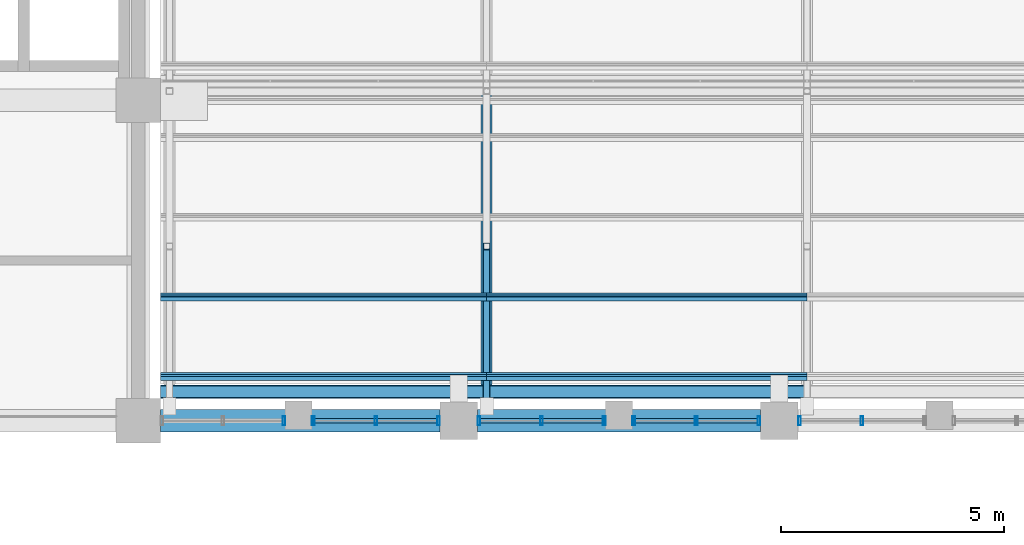
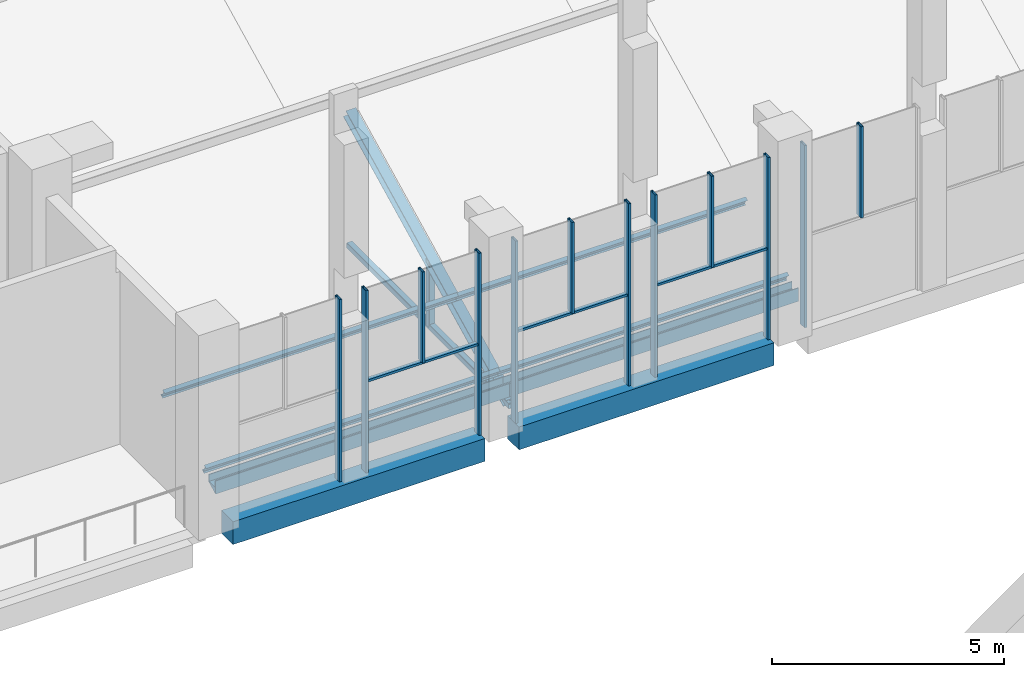
# One storey, part 28 of 83: 24 members, 2 beams, 5 elements without a shape of their own.
"""IFC4 building model written with IfcOpenShell, lengths in metres."""

from ifc_helpers import new_model, si_unit, direction, frame, origin, origin_2d, place, context, subcontext, project, spatial, polyline, rectangle, hollow_rectangle, i_section, outline, extrude, material, material_profile, profile_set, type_object, element, aggregate, save


model = new_model("IFC4")

# Units and contexts
model_context = context("Model", 3, precision=1e-05, world=origin(), true_north=direction((0.0, 1.0)))
body_context = subcontext(model_context, "Body", "Model", "MODEL_VIEW")
ifc_project = project(units=[si_unit("LENGTHUNIT", "METRE"), si_unit("AREAUNIT", "SQUARE_METRE"), si_unit("VOLUMEUNIT", "CUBIC_METRE"), si_unit("PLANEANGLEUNIT", "RADIAN"), si_unit("MASSUNIT", "GRAM", prefix="KILO")], contexts=[model_context])

# Site, building, storey
site_placement = place(None, origin())
site = spatial("IfcSite", under=ifc_project, at=site_placement, CompositionType="ELEMENT")
building_placement = place(site_placement, origin())
building = spatial("IfcBuilding", under=site, at=building_placement, Name="Silangan Lancet Faculty of Sciences", CompositionType="ELEMENT")
storey_placement = place(building_placement, frame((0.0, 0.0, 11.39990234375)))
storey = spatial("IfcBuildingStorey", under=building, at=storey_placement, Name="L02", CompositionType="ELEMENT", Elevation=11.39990234375)

# Beams
ifc_material_1 = material(Name="Concrete C40/50", Category="concrete")
ifc_material_profile_1 = material_profile(ifc_material_1, rectangle(XDim=0.5, YDim=0.60009765625, at=origin_2d()), Name="RC 500x600")
ifc_profile_set_1 = profile_set([ifc_material_profile_1], Name="Concrete C40/50")
beam_type = type_object("IfcBeamType", Name="BEAM RC 500x600", PredefinedType="BEAM", material=ifc_profile_set_1)
beam_1_placement = place(storey_placement, frame((29.300048828125, 36.0, -0.2998046875), z_axis=(1.0, 0.0, 0.0), x_axis=(0.0, 1.0, 0.0)))
element("IfcBeam", 1, at=beam_1_placement, inside=storey, type_object=beam_type, Name="BM-L02-5F-6F", PredefinedType="BEAM", context=body_context, shape_type="SweptSolid", body=[
    extrude(rectangle(XDim=0.5, YDim=0.60009765625, at=origin_2d()), origin(), (0.0, 0.0, 1.0), 6.27490234375),
])
beam_2_placement = place(storey_placement, frame((36.425048828125, 36.0, -0.2998046875), z_axis=(1.0, 0.0, 0.0), x_axis=(0.0, 1.0, 0.0)))
element("IfcBeam", 2, at=beam_2_placement, inside=storey, type_object=beam_type, Name="BM-L02-6F-7F", PredefinedType="BEAM", context=body_context, shape_type="SweptSolid", body=[
    extrude(rectangle(XDim=0.5, YDim=0.60009765625, at=origin_2d()), origin(), (0.0, 0.0, 1.0), 6.349853515625),
])

# Curtain wall, members
ifc_material_2 = material(Name="Aluminium framed curtain wall with insulated glass", Category="aluminium")
curtain_wall_type = type_object("IfcCurtainWallType", Name="CW5 Nave north light glazing", PredefinedType="NOTDEFINED", material=ifc_material_2)
curtain_wall_1_placement = place(storey_placement, origin())
curtain_wall_1 = element("IfcCurtainWall", 3, at=curtain_wall_1_placement, inside=storey, type_object=curtain_wall_type, Name="CW5 Nave north lights L02 bay 2", PredefinedType="NOTDEFINED")
ifc_material_3 = material(Name="Aluminium 6063-T6 extrusion", Category="aluminium")
ifc_material_profile_2 = material_profile(ifc_material_3, hollow_rectangle(XDim=0.06005859375, YDim=0.199951171875, WallThickness=0.00390625, at=origin_2d()), Name="AL BOX 60x200x4")
ifc_profile_set_2 = profile_set([ifc_material_profile_2], Name="Aluminium 6063-T6 extrusion")
member_type_1 = type_object("IfcMemberType", Name="CM1 Mullion 60x200", PredefinedType="MULLION", material=ifc_profile_set_2)
member_1_placement = place(storey_placement, frame((43.655029296875, 36.0, 0.0), z_axis=(0.0, 0.0, 1.0), x_axis=(-1.0, 0.0, 0.0)))
member_1 = element("IfcMember", 4, at=member_1_placement, type_object=member_type_1, Name="CW5 Nave north lights L02 bay 2 mullion 2", PredefinedType="MULLION", context=body_context, shape_type="SweptSolid", body=[
    extrude(hollow_rectangle(XDim=0.06005859375, YDim=0.199951171875, WallThickness=0.00390625, at=origin_2d()), origin(), (0.0, 0.0, 1.0), 4.800048828125),
])
member_2_placement = place(storey_placement, frame((45.0625, 36.0, 2.400146484375), z_axis=(0.0, 0.0, 1.0), x_axis=(-1.0, 0.0, 0.0)))
member_2 = element("IfcMember", 5, at=member_2_placement, type_object=member_type_1, Name="CW5 Nave north lights L02 bay 2 mullion 3", PredefinedType="MULLION", context=body_context, shape_type="SweptSolid", body=[
    extrude(hollow_rectangle(XDim=0.06005859375, YDim=0.199951171875, WallThickness=0.00390625, at=origin_2d()), origin(), (0.0, 0.0, 1.0), 2.39990234375),
])
aggregate(curtain_wall_1, [member_1, member_2])

curtain_wall_2_placement = place(storey_placement, origin())
curtain_wall_2 = element("IfcCurtainWall", 6, at=curtain_wall_2_placement, inside=storey, type_object=curtain_wall_type, Name="CW5 Nave north lights L02 bay 3", PredefinedType="NOTDEFINED")
member_3_placement = place(storey_placement, frame((42.7451171875, 36.0, 0.0), z_axis=(0.0, 0.0, 1.0), x_axis=(-1.0, 0.0, 0.0)))
member_3 = element("IfcMember", 7, at=member_3_placement, type_object=member_type_1, Name="CW5 Nave north lights L02 bay 3 mullion 1", PredefinedType="MULLION", context=body_context, shape_type="SweptSolid", body=[
    extrude(hollow_rectangle(XDim=0.06005859375, YDim=0.199951171875, WallThickness=0.00390625, at=origin_2d()), origin(), (0.0, 0.0, 1.0), 4.800048828125),
])
member_4_placement = place(storey_placement, frame((39.93017578125, 36.0, 0.0), z_axis=(0.0, 0.0, 1.0), x_axis=(-1.0, 0.0, 0.0)))
member_4 = element("IfcMember", 8, at=member_4_placement, type_object=member_type_1, Name="CW5 Nave north lights L02 bay 3 mullion 2", PredefinedType="MULLION", context=body_context, shape_type="SweptSolid", body=[
    extrude(hollow_rectangle(XDim=0.06005859375, YDim=0.199951171875, WallThickness=0.00390625, at=origin_2d()), origin(), (0.0, 0.0, 1.0), 4.800048828125),
])
member_5_placement = place(storey_placement, frame((41.337646484375, 36.0, 2.400146484375), z_axis=(0.0, 0.0, 1.0), x_axis=(-1.0, 0.0, 0.0)))
member_5 = element("IfcMember", 9, at=member_5_placement, type_object=member_type_1, Name="CW5 Nave north lights L02 bay 3 mullion 3", PredefinedType="MULLION", context=body_context, shape_type="SweptSolid", body=[
    extrude(hollow_rectangle(XDim=0.06005859375, YDim=0.199951171875, WallThickness=0.00390625, at=origin_2d()), origin(), (0.0, 0.0, 1.0), 2.39990234375),
])

curtain_wall_3_placement = place(storey_placement, origin())
curtain_wall_3 = element("IfcCurtainWall", 10, at=curtain_wall_3_placement, inside=storey, type_object=curtain_wall_type, Name="CW5 Nave north lights L02 bay 4", PredefinedType="NOTDEFINED")
member_6_placement = place(storey_placement, frame((39.27001953125, 36.0, 0.0), z_axis=(0.0, 0.0, 1.0), x_axis=(-1.0, 0.0, 0.0)))
member_6 = element("IfcMember", 11, at=member_6_placement, type_object=member_type_1, Name="CW5 Nave north lights L02 bay 4 mullion 1", PredefinedType="MULLION", context=body_context, shape_type="SweptSolid", body=[
    extrude(hollow_rectangle(XDim=0.06005859375, YDim=0.199951171875, WallThickness=0.00390625, at=origin_2d()), origin(), (0.0, 0.0, 1.0), 4.800048828125),
])
member_7_placement = place(storey_placement, frame((36.455078125, 36.0, 0.0), z_axis=(0.0, 0.0, 1.0), x_axis=(-1.0, 0.0, 0.0)))
member_7 = element("IfcMember", 12, at=member_7_placement, type_object=member_type_1, Name="CW5 Nave north lights L02 bay 4 mullion 2", PredefinedType="MULLION", context=body_context, shape_type="SweptSolid", body=[
    extrude(hollow_rectangle(XDim=0.06005859375, YDim=0.199951171875, WallThickness=0.00390625, at=origin_2d()), origin(), (0.0, 0.0, 1.0), 4.800048828125),
])
member_8_placement = place(storey_placement, frame((37.862548828125, 36.0, 2.400146484375), z_axis=(0.0, 0.0, 1.0), x_axis=(-1.0, 0.0, 0.0)))
member_8 = element("IfcMember", 13, at=member_8_placement, type_object=member_type_1, Name="CW5 Nave north lights L02 bay 4 mullion 3", PredefinedType="MULLION", context=body_context, shape_type="SweptSolid", body=[
    extrude(hollow_rectangle(XDim=0.06005859375, YDim=0.199951171875, WallThickness=0.00390625, at=origin_2d()), origin(), (0.0, 0.0, 1.0), 2.39990234375),
])

curtain_wall_4_placement = place(storey_placement, origin())
curtain_wall_4 = element("IfcCurtainWall", 14, at=curtain_wall_4_placement, inside=storey, type_object=curtain_wall_type, Name="CW5 Nave north lights L02 bay 5", PredefinedType="NOTDEFINED")
member_9_placement = place(storey_placement, frame((35.544921875, 36.0, 0.0), z_axis=(0.0, 0.0, 1.0), x_axis=(-1.0, 0.0, 0.0)))
member_9 = element("IfcMember", 15, at=member_9_placement, type_object=member_type_1, Name="CW5 Nave north lights L02 bay 5 mullion 1", PredefinedType="MULLION", context=body_context, shape_type="SweptSolid", body=[
    extrude(hollow_rectangle(XDim=0.06005859375, YDim=0.199951171875, WallThickness=0.00390625, at=origin_2d()), origin(), (0.0, 0.0, 1.0), 4.800048828125),
])
member_10_placement = place(storey_placement, frame((32.72998046875, 36.0, 0.0), z_axis=(0.0, 0.0, 1.0), x_axis=(-1.0, 0.0, 0.0)))
member_10 = element("IfcMember", 16, at=member_10_placement, type_object=member_type_1, Name="CW5 Nave north lights L02 bay 5 mullion 2", PredefinedType="MULLION", context=body_context, shape_type="SweptSolid", body=[
    extrude(hollow_rectangle(XDim=0.06005859375, YDim=0.199951171875, WallThickness=0.00390625, at=origin_2d()), origin(), (0.0, 0.0, 1.0), 4.800048828125),
])
member_11_placement = place(storey_placement, frame((34.137451171875, 36.0, 2.400146484375), z_axis=(0.0, 0.0, 1.0), x_axis=(-1.0, 0.0, 0.0)))
member_11 = element("IfcMember", 17, at=member_11_placement, type_object=member_type_1, Name="CW5 Nave north lights L02 bay 5 mullion 3", PredefinedType="MULLION", context=body_context, shape_type="SweptSolid", body=[
    extrude(hollow_rectangle(XDim=0.06005859375, YDim=0.199951171875, WallThickness=0.00390625, at=origin_2d()), origin(), (0.0, 0.0, 1.0), 2.39990234375),
])

# Curtain wall, member
curtain_wall_5_placement = place(storey_placement, origin())
curtain_wall_5 = element("IfcCurtainWall", 18, at=curtain_wall_5_placement, inside=storey, type_object=curtain_wall_type, Name="CW5 Nave north lights L02 bay 6", PredefinedType="NOTDEFINED")
member_12_placement = place(storey_placement, frame((32.06982421875, 36.0, 0.0), z_axis=(0.0, 0.0, 1.0), x_axis=(-1.0, 0.0, 0.0)))
member_12 = element("IfcMember", 19, at=member_12_placement, type_object=member_type_1, Name="CW5 Nave north lights L02 bay 6 mullion 1", PredefinedType="MULLION", context=body_context, shape_type="SweptSolid", body=[
    extrude(hollow_rectangle(XDim=0.06005859375, YDim=0.199951171875, WallThickness=0.00390625, at=origin_2d()), origin(), (0.0, 0.0, 1.0), 4.800048828125),
])
aggregate(curtain_wall_5, [member_12])

# Member
ifc_material_4 = material(Name="Aluminium 6063-T6 extrusion", Category="aluminium")
ifc_material_profile_3 = material_profile(ifc_material_4, hollow_rectangle(XDim=0.10009765625, YDim=0.06005859375, WallThickness=0.0029296875, at=origin_2d()), Name="AL BOX 100x60x3")
ifc_profile_set_3 = profile_set([ifc_material_profile_3], Name="Aluminium 6063-T6 extrusion")
member_type_2 = type_object("IfcMemberType", Name="CT1 Transom 100x60", PredefinedType="USERDEFINED", material=ifc_profile_set_3)
member_13_placement = place(storey_placement, frame((42.715087890625, 36.0, 2.3701171875), z_axis=(-1.0, 0.0, 0.0), x_axis=(0.0, -1.0, 0.0)))
member_13 = element("IfcMember", 20, at=member_13_placement, type_object=member_type_2, Name="CW5 Nave north lights L02 bay 3 transom 1", ObjectType="TRANSOM", PredefinedType="USERDEFINED", context=body_context, shape_type="SweptSolid", body=[
    extrude(hollow_rectangle(XDim=0.10009765625, YDim=0.06005859375, WallThickness=0.0029296875, at=origin_2d()), origin(), (0.0, 0.0, 1.0), 2.7548828125),
])

aggregate(curtain_wall_2, [member_3, member_4, member_5, member_13])

member_14_placement = place(storey_placement, frame((39.239990234375, 36.0, 2.3701171875), z_axis=(-1.0, 0.0, 0.0), x_axis=(0.0, -1.0, 0.0)))
member_14 = element("IfcMember", 21, at=member_14_placement, type_object=member_type_2, Name="CW5 Nave north lights L02 bay 4 transom 1", ObjectType="TRANSOM", PredefinedType="USERDEFINED", context=body_context, shape_type="SweptSolid", body=[
    extrude(hollow_rectangle(XDim=0.10009765625, YDim=0.06005859375, WallThickness=0.0029296875, at=origin_2d()), origin(), (0.0, 0.0, 1.0), 2.7548828125),
])

aggregate(curtain_wall_3, [member_6, member_7, member_8, member_14])

member_15_placement = place(storey_placement, frame((35.514892578125, 36.0, 2.3701171875), z_axis=(-1.0, 0.0, 0.0), x_axis=(0.0, -1.0, 0.0)))
member_15 = element("IfcMember", 22, at=member_15_placement, type_object=member_type_2, Name="CW5 Nave north lights L02 bay 5 transom 1", ObjectType="TRANSOM", PredefinedType="USERDEFINED", context=body_context, shape_type="SweptSolid", body=[
    extrude(hollow_rectangle(XDim=0.10009765625, YDim=0.06005859375, WallThickness=0.0029296875, at=origin_2d()), origin(), (0.0, 0.0, 1.0), 2.7548828125),
])

aggregate(curtain_wall_4, [member_9, member_10, member_11, member_15])

# Members
ifc_material_5 = material(Name="Steel SS400", Category="steel")
ifc_material_profile_4 = material_profile(ifc_material_5, i_section(OverallWidth=0.10009765625, OverallDepth=0.199951171875, WebThickness=0.005615234375, FlangeThickness=0.008056640625, FilletRadius=0.008056640625, at=origin_2d()), Name="H 200x100x5.5x8")
ifc_profile_set_4 = profile_set([ifc_material_profile_4], Name="Steel SS400")
member_type_3 = type_object("IfcMemberType", Name="Sheeting purlin H 200x100x5.5x8", PredefinedType="PURLIN", material=ifc_profile_set_4)
for number, where, z_axis, x_axis, name in (
    (23, (29.300048828125, 36.9951171875, 0.6318359375), (1.0, 0.0, 0.0), (0.0, 0.894427192382, 0.447213592736), "Sheeting purlin NAB-1-1 1"),
    (24, (29.300048828125, 38.7841796875, 1.526123046875), (1.0, 0.0, 0.0), (0.0, 0.894427192382, 0.447213592736), "Sheeting purlin NAB-1-1 2"),
):
    element("IfcMember", number, at=place(storey_placement, frame(where, z_axis=z_axis, x_axis=x_axis)), inside=storey, type_object=member_type_3, Name=name, PredefinedType="PURLIN", context=body_context, shape_type="SweptSolid", body=[
        extrude(i_section(OverallWidth=0.10009765625, OverallDepth=0.199951171875, WebThickness=0.005615234375, FlangeThickness=0.008056640625, FilletRadius=0.008056640625, at=origin_2d()), origin(), (0.0, 0.0, 1.0), 7.324951171875),
    ])
for number, where, z_axis, x_axis, name in (
    (25, (36.625, 36.9951171875, 0.6318359375), (1.0, 0.0, 0.0), (0.0, 0.894427192382, 0.447213592736), "Sheeting purlin NAB-1-2 1"),
    (26, (36.625, 38.7841796875, 1.526123046875), (1.0, 0.0, 0.0), (0.0, 0.894427192382, 0.447213592736), "Sheeting purlin NAB-1-2 2"),
):
    element("IfcMember", number, at=place(storey_placement, frame(where, z_axis=z_axis, x_axis=x_axis)), inside=storey, type_object=member_type_3, Name=name, PredefinedType="PURLIN", context=body_context, shape_type="SweptSolid", body=[
        extrude(i_section(OverallWidth=0.10009765625, OverallDepth=0.199951171875, WebThickness=0.005615234375, FlangeThickness=0.008056640625, FilletRadius=0.008056640625, at=origin_2d()), origin(), (0.0, 0.0, 1.0), 7.199951171875),
    ])
ifc_material_6 = material(Name="Steel STKR400", Category="steel")
ifc_material_profile_5 = material_profile(ifc_material_6, hollow_rectangle(XDim=0.14990234375, YDim=0.14990234375, WallThickness=0.009033203125, InnerFilletRadius=0.009033203125, OuterFilletRadius=0.01806640625, at=origin_2d()), Name="SHS 150x150x9.0")
ifc_profile_set_5 = profile_set([ifc_material_profile_5], Name="Steel STKR400")
member_type_4 = type_object("IfcMemberType", Name="Truss bottom chord SHS 150x150x9.0", PredefinedType="CHORD", material=ifc_profile_set_5)
member_16_placement = place(storey_placement, frame((36.625, 36.425048828125, 0.09521484375), z_axis=(0.0, 1.0, 0.0), x_axis=(-1.0, 0.0, 0.0)))
element("IfcMember", 27, at=member_16_placement, inside=storey, type_object=member_type_4, Name="Truss 2 bottom chord 1", PredefinedType="CHORD", context=body_context, shape_type="SweptSolid", body=[
    extrude(hollow_rectangle(XDim=0.14990234375, YDim=0.14990234375, WallThickness=0.009033203125, InnerFilletRadius=0.009033203125, OuterFilletRadius=0.01806640625, at=origin_2d()), origin(), (0.0, 0.0, 1.0), 6.981689453125),
])
ifc_material_7 = material(Name="Steel STKR400", Category="steel")
ifc_material_profile_6 = material_profile(ifc_material_7, hollow_rectangle(XDim=0.14990234375, YDim=0.14990234375, WallThickness=0.006103515625, InnerFilletRadius=0.006103515625, OuterFilletRadius=0.011962890625, at=origin_2d()), Name="SHS 150x150x6.0")
ifc_profile_set_6 = profile_set([ifc_material_profile_6], Name="Steel STKR400")
member_type_5 = type_object("IfcMemberType", Name="Truss post SHS 150x150x6.0", PredefinedType="POST", material=ifc_profile_set_6)
member_17_placement = place(storey_placement, frame((36.625, 39.915771484375, 0.09521484375), z_axis=(0.0, 0.0, 1.0), x_axis=(1.0, 0.0, 0.0)))
element("IfcMember", 28, at=member_17_placement, inside=storey, type_object=member_type_5, Name="Truss 2 mid post 1", PredefinedType="POST", context=body_context, shape_type="SweptSolid", body=[
    extrude(hollow_rectangle(XDim=0.14990234375, YDim=0.14990234375, WallThickness=0.006103515625, InnerFilletRadius=0.006103515625, OuterFilletRadius=0.011962890625, at=origin_2d()), origin(), (0.0, 0.0, 1.0), 1.745361328125),
])
ifc_material_8 = material(Name="Steel SS400", Category="steel")
ifc_material_profile_7 = material_profile(ifc_material_8, i_section(OverallWidth=0.25, OverallDepth=0.25, WebThickness=0.009033203125, FlangeThickness=0.013916015625, FilletRadius=0.01611328125, at=origin_2d()), Name="H 250x250x9x14")
ifc_profile_set_7 = profile_set([ifc_material_profile_7], Name="Steel SS400")
member_type_6 = type_object("IfcMemberType", Name="Truss top chord H 250x250x9x14", PredefinedType="CHORD", material=ifc_profile_set_7)
member_18_placement = place(storey_placement, frame((36.625, 36.505615234375, 0.13525390625), z_axis=(0.0, 0.894420862535, 0.447226252205), x_axis=(-1.0, 0.0, 0.0)))
element("IfcMember", 29, at=member_18_placement, inside=storey, type_object=member_type_6, Name="Truss 2 top chord 1", PredefinedType="CHORD", context=body_context, shape_type="SweptSolid", body=[
    extrude(i_section(OverallWidth=0.25, OverallDepth=0.25, WebThickness=0.009033203125, FlangeThickness=0.013916015625, FilletRadius=0.01611328125, at=origin_2d()), origin(), (0.0, 0.0, 1.0), 7.7158203125),
])
ifc_material_9 = material(Name="Stainless steel", Category="steel")
ifc_material_profile_8 = material_profile(ifc_material_9, outline(polyline([(-0.14990234375, 0.0), (0.14990234375, 0.14990234375), (0.14990234375, 0.35009765625), (0.1298828125, 0.35009765625), (0.1298828125, 0.169921875), (-0.1298828125, 0.169921875), (-0.1298828125, 0.35009765625), (-0.14990234375, 0.35009765625), (-0.14990234375, 0.0)])), Name="valley gutter")
ifc_profile_set_8 = profile_set([ifc_material_profile_8], Name="Stainless steel")
member_type_7 = type_object("IfcMemberType", Name="Valley gutter 300 wide", PredefinedType="USERDEFINED", material=ifc_profile_set_8)
member_19_placement = place(storey_placement, frame((29.300048828125, 36.64990234375, 0.2724609375), z_axis=(1.0, 0.0, 0.0), x_axis=(0.0, 1.0, 0.0)))
element("IfcMember", 30, at=member_19_placement, inside=storey, type_object=member_type_7, Name="Valley gutter NAB-1-1", ObjectType="GUTTER", PredefinedType="USERDEFINED", context=body_context, shape_type="SweptSolid", body=[
    extrude(outline(polyline([(-0.14990234375, 0.0), (0.14990234375, 0.14990234375), (0.14990234375, 0.35009765625), (0.1298828125, 0.35009765625), (0.1298828125, 0.169921875), (-0.1298828125, 0.169921875), (-0.1298828125, 0.35009765625), (-0.14990234375, 0.35009765625), (-0.14990234375, 0.0)])), origin(), (0.0, 0.0, 1.0), 7.324951171875),
])
member_20_placement = place(storey_placement, frame((36.625, 36.64990234375, 0.2724609375), z_axis=(1.0, 0.0, 0.0), x_axis=(0.0, 1.0, 0.0)))
element("IfcMember", 31, at=member_20_placement, inside=storey, type_object=member_type_7, Name="Valley gutter NAB-1-2", ObjectType="GUTTER", PredefinedType="USERDEFINED", context=body_context, shape_type="SweptSolid", body=[
    extrude(outline(polyline([(-0.14990234375, 0.0), (0.14990234375, 0.14990234375), (0.14990234375, 0.35009765625), (0.1298828125, 0.35009765625), (0.1298828125, 0.169921875), (-0.1298828125, 0.169921875), (-0.1298828125, 0.35009765625), (-0.14990234375, 0.35009765625), (-0.14990234375, 0.0)])), origin(), (0.0, 0.0, 1.0), 7.199951171875),
])

save(model, "model.ifc")
